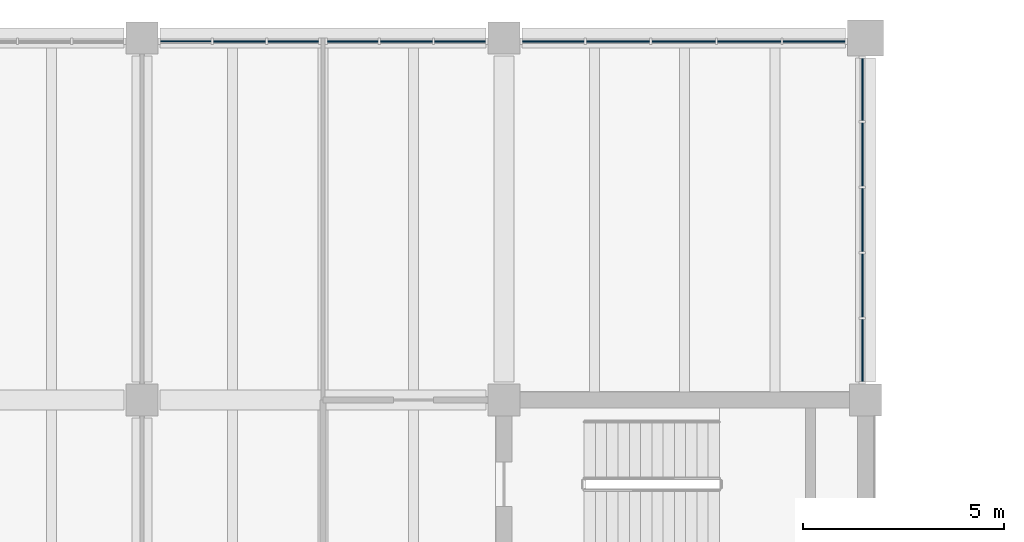
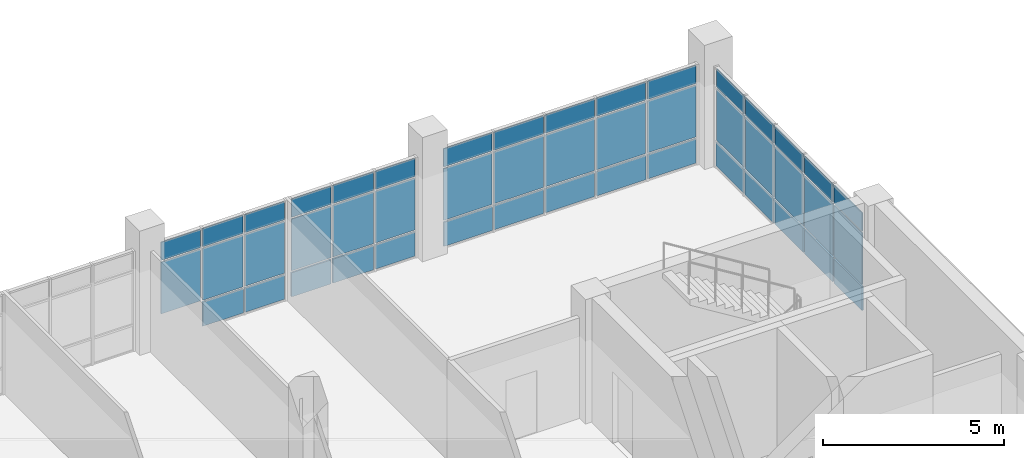
# One storey, part 28 of 50: 47 plates, 4 elements without a shape of their own.
"""IFC4 building model written with IfcOpenShell, lengths in metres."""

from ifc_helpers import new_model, si_unit, direction, frame, origin, origin_2d, place, context, subcontext, project, spatial, rectangle, extrude, material, layer, layer_set, type_object, element, aggregate, save


model = new_model("IFC4")

# Units and contexts
model_context = context("Model", 3, precision=1e-05, world=origin(), true_north=direction((0.0, 1.0)))
body_context = subcontext(model_context, "Body", "Model", "MODEL_VIEW")
ifc_project = project(units=[si_unit("LENGTHUNIT", "METRE"), si_unit("AREAUNIT", "SQUARE_METRE"), si_unit("VOLUMEUNIT", "CUBIC_METRE"), si_unit("PLANEANGLEUNIT", "RADIAN"), si_unit("MASSUNIT", "GRAM", prefix="KILO")], contexts=[model_context])

# Site, building, storey
site_placement = place(None, origin())
site = spatial("IfcSite", under=ifc_project, at=site_placement, CompositionType="ELEMENT")
building_placement = place(site_placement, origin())
building = spatial("IfcBuilding", under=site, at=building_placement, Name="Merrow Basin Faculty of Sciences", CompositionType="ELEMENT")
storey_placement = place(building_placement, frame((0.0, 0.0, 18.0)))
storey = spatial("IfcBuildingStorey", under=building, at=storey_placement, Name="L04", CompositionType="ELEMENT", Elevation=18.0)

# Curtain wall, plates
ifc_material_1 = material(Name="Aluminium alloy 6063", Category="aluminium")
curtain_wall_type = type_object("IfcCurtainWallType", Name="Unitised curtain wall 160", PredefinedType="NOTDEFINED", material=ifc_material_1)
curtain_wall_1_placement = place(storey_placement, origin())
curtain_wall_1 = element("IfcCurtainWall", 1, at=curtain_wall_1_placement, inside=storey, type_object=curtain_wall_type, Name="N curtain wall L04 5", PredefinedType="NOTDEFINED")
ifc_material_2 = material(Name="Insulated aluminium spandrel panel", Category="aluminium")
ifc_layer_1 = layer(ifc_material_2, 0.052001953125)
ifc_layer_set_1 = layer_set([ifc_layer_1], Name="Insulated spandrel panel 52")
plate_type_1 = type_object("IfcPlateType", Name="Insulated spandrel panel 52", PredefinedType="CURTAIN_PANEL", material=ifc_layer_set_1)
plate_1_placement = place(storey_placement, frame((38.425048828125, 168.919921875, 0.06005859375), z_axis=(0.0, 0.0, 1.0), x_axis=(1.0, 0.0, 0.0)))
plate_1 = element("IfcPlate", 2, at=plate_1_placement, type_object=plate_type_1, Name="CW3 panel 2.1", PredefinedType="CURTAIN_PANEL", context=body_context, shape_type="SweptSolid", body=[
    extrude(rectangle(XDim=1.2900390625, YDim=0.052001953125, at=origin_2d()), origin(), (0.0, 0.0, 1.0), 0.81005859375),
])
plate_2_placement = place(storey_placement, frame((39.760009765625, 168.919921875, 0.06005859375), z_axis=(0.0, 0.0, 1.0), x_axis=(1.0, 0.0, 0.0)))
plate_2 = element("IfcPlate", 3, at=plate_2_placement, type_object=plate_type_1, Name="CW3 panel 3.1", PredefinedType="CURTAIN_PANEL", context=body_context, shape_type="SweptSolid", body=[
    extrude(rectangle(XDim=1.260009765625, YDim=0.052001953125, at=origin_2d()), origin(), (0.0, 0.0, 1.0), 0.81005859375),
])

curtain_wall_2_placement = place(storey_placement, origin())
curtain_wall_2 = element("IfcCurtainWall", 4, at=curtain_wall_2_placement, inside=storey, type_object=curtain_wall_type, Name="N curtain wall L04 6", PredefinedType="NOTDEFINED")
plate_3_placement = place(storey_placement, frame((41.239990234375, 168.919921875, 0.06005859375), z_axis=(0.0, 0.0, 1.0), x_axis=(1.0, 0.0, 0.0)))
plate_3 = element("IfcPlate", 5, at=plate_3_placement, type_object=plate_type_1, Name="CW3 panel 1.1", PredefinedType="CURTAIN_PANEL", context=body_context, shape_type="SweptSolid", body=[
    extrude(rectangle(XDim=1.260009765625, YDim=0.052001953125, at=origin_2d()), origin(), (0.0, 0.0, 1.0), 0.81005859375),
])
plate_4_placement = place(storey_placement, frame((42.574951171875, 168.919921875, 0.06005859375), z_axis=(0.0, 0.0, 1.0), x_axis=(1.0, 0.0, 0.0)))
plate_4 = element("IfcPlate", 6, at=plate_4_placement, type_object=plate_type_1, Name="CW3 panel 2.1", PredefinedType="CURTAIN_PANEL", context=body_context, shape_type="SweptSolid", body=[
    extrude(rectangle(XDim=1.2900390625, YDim=0.052001953125, at=origin_2d()), origin(), (0.0, 0.0, 1.0), 0.81005859375),
])
plate_5_placement = place(storey_placement, frame((43.909912109375, 168.919921875, 0.06005859375), z_axis=(0.0, 0.0, 1.0), x_axis=(1.0, 0.0, 0.0)))
plate_5 = element("IfcPlate", 7, at=plate_5_placement, type_object=plate_type_1, Name="CW3 panel 3.1", PredefinedType="CURTAIN_PANEL", context=body_context, shape_type="SweptSolid", body=[
    extrude(rectangle(XDim=1.260009765625, YDim=0.052001953125, at=origin_2d()), origin(), (0.0, 0.0, 1.0), 0.81005859375),
])

curtain_wall_3_placement = place(storey_placement, origin())
curtain_wall_3 = element("IfcCurtainWall", 8, at=curtain_wall_3_placement, inside=storey, type_object=curtain_wall_type, Name="N curtain wall L04 7", PredefinedType="NOTDEFINED")
plate_6_placement = place(storey_placement, frame((46.22998046875, 168.919921875, 0.06005859375), z_axis=(0.0, 0.0, 1.0), x_axis=(1.0, 0.0, 0.0)))
plate_6 = element("IfcPlate", 9, at=plate_6_placement, type_object=plate_type_1, Name="CW3 panel 1.1", PredefinedType="CURTAIN_PANEL", context=body_context, shape_type="SweptSolid", body=[
    extrude(rectangle(XDim=1.5400390625, YDim=0.052001953125, at=origin_2d()), origin(), (0.0, 0.0, 1.0), 0.81005859375),
])
plate_7_placement = place(storey_placement, frame((47.844970703125, 168.919921875, 0.06005859375), z_axis=(0.0, 0.0, 1.0), x_axis=(1.0, 0.0, 0.0)))
plate_7 = element("IfcPlate", 10, at=plate_7_placement, type_object=plate_type_1, Name="CW3 panel 2.1", PredefinedType="CURTAIN_PANEL", context=body_context, shape_type="SweptSolid", body=[
    extrude(rectangle(XDim=1.570068359375, YDim=0.052001953125, at=origin_2d()), origin(), (0.0, 0.0, 1.0), 0.81005859375),
])
plate_8_placement = place(storey_placement, frame((49.47509765625, 168.919921875, 0.06005859375), z_axis=(0.0, 0.0, 1.0), x_axis=(1.0, 0.0, 0.0)))
plate_8 = element("IfcPlate", 11, at=plate_8_placement, type_object=plate_type_1, Name="CW3 panel 3.1", PredefinedType="CURTAIN_PANEL", context=body_context, shape_type="SweptSolid", body=[
    extrude(rectangle(XDim=1.570068359375, YDim=0.052001953125, at=origin_2d()), origin(), (0.0, 0.0, 1.0), 0.81005859375),
])
plate_9_placement = place(storey_placement, frame((51.10498046875, 168.919921875, 0.06005859375), z_axis=(0.0, 0.0, 1.0), x_axis=(1.0, 0.0, 0.0)))
plate_9 = element("IfcPlate", 12, at=plate_9_placement, type_object=plate_type_1, Name="CW3 panel 4.1", PredefinedType="CURTAIN_PANEL", context=body_context, shape_type="SweptSolid", body=[
    extrude(rectangle(XDim=1.570068359375, YDim=0.052001953125, at=origin_2d()), origin(), (0.0, 0.0, 1.0), 0.81005859375),
])
plate_10_placement = place(storey_placement, frame((52.719970703125, 168.919921875, 0.06005859375), z_axis=(0.0, 0.0, 1.0), x_axis=(1.0, 0.0, 0.0)))
plate_10 = element("IfcPlate", 13, at=plate_10_placement, type_object=plate_type_1, Name="CW3 panel 5.1", PredefinedType="CURTAIN_PANEL", context=body_context, shape_type="SweptSolid", body=[
    extrude(rectangle(XDim=1.5400390625, YDim=0.052001953125, at=origin_2d()), origin(), (0.0, 0.0, 1.0), 0.81005859375),
])

curtain_wall_4_placement = place(storey_placement, origin())
curtain_wall_4 = element("IfcCurtainWall", 14, at=curtain_wall_4_placement, inside=storey, type_object=curtain_wall_type, Name="E curtain wall L04 1", PredefinedType="NOTDEFINED")
plate_11_placement = place(storey_placement, frame((53.919921875, 161.22998046875, 0.06005859375), z_axis=(0.0, 0.0, 1.0), x_axis=(0.0, 1.0, 0.0)))
plate_11 = element("IfcPlate", 15, at=plate_11_placement, type_object=plate_type_1, Name="CW3 panel 1.1", PredefinedType="CURTAIN_PANEL", context=body_context, shape_type="SweptSolid", body=[
    extrude(rectangle(XDim=1.5400390625, YDim=0.052001953125, at=origin_2d()), origin(), (0.0, 0.0, 1.0), 0.81005859375),
])
plate_12_placement = place(storey_placement, frame((53.919921875, 162.844970703125, 0.06005859375), z_axis=(0.0, 0.0, 1.0), x_axis=(0.0, 1.0, 0.0)))
plate_12 = element("IfcPlate", 16, at=plate_12_placement, type_object=plate_type_1, Name="CW3 panel 2.1", PredefinedType="CURTAIN_PANEL", context=body_context, shape_type="SweptSolid", body=[
    extrude(rectangle(XDim=1.570068359375, YDim=0.052001953125, at=origin_2d()), origin(), (0.0, 0.0, 1.0), 0.81005859375),
])
plate_13_placement = place(storey_placement, frame((53.919921875, 164.47509765625, 0.06005859375), z_axis=(0.0, 0.0, 1.0), x_axis=(0.0, 1.0, 0.0)))
plate_13 = element("IfcPlate", 17, at=plate_13_placement, type_object=plate_type_1, Name="CW3 panel 3.1", PredefinedType="CURTAIN_PANEL", context=body_context, shape_type="SweptSolid", body=[
    extrude(rectangle(XDim=1.570068359375, YDim=0.052001953125, at=origin_2d()), origin(), (0.0, 0.0, 1.0), 0.81005859375),
])
plate_14_placement = place(storey_placement, frame((53.919921875, 166.10498046875, 0.06005859375), z_axis=(0.0, 0.0, 1.0), x_axis=(0.0, 1.0, 0.0)))
plate_14 = element("IfcPlate", 18, at=plate_14_placement, type_object=plate_type_1, Name="CW3 panel 4.1", PredefinedType="CURTAIN_PANEL", context=body_context, shape_type="SweptSolid", body=[
    extrude(rectangle(XDim=1.570068359375, YDim=0.052001953125, at=origin_2d()), origin(), (0.0, 0.0, 1.0), 0.81005859375),
])
plate_15_placement = place(storey_placement, frame((53.919921875, 167.719970703125, 0.06005859375), z_axis=(0.0, 0.0, 1.0), x_axis=(0.0, 1.0, 0.0)))
plate_15 = element("IfcPlate", 19, at=plate_15_placement, type_object=plate_type_1, Name="CW3 panel 5.1", PredefinedType="CURTAIN_PANEL", context=body_context, shape_type="SweptSolid", body=[
    extrude(rectangle(XDim=1.5400390625, YDim=0.052001953125, at=origin_2d()), origin(), (0.0, 0.0, 1.0), 0.81005859375),
])

# Plate
ifc_material_3 = material(Name="Low-E double glazing", Category="glass")
ifc_layer_2 = layer(ifc_material_3, 0.028076171875)
ifc_layer_set_2 = layer_set([ifc_layer_2], Name="Low-E double glazed panel 28")
plate_type_2 = type_object("IfcPlateType", Name="Low-E double glazed panel 28", PredefinedType="CURTAIN_PANEL", material=ifc_layer_set_2)
plate_16_placement = place(storey_placement, frame((37.090087890625, 168.919921875, 0.93017578125), z_axis=(0.0, 0.0, 1.0), x_axis=(1.0, 0.0, 0.0)))
plate_16 = element("IfcPlate", 20, at=plate_16_placement, type_object=plate_type_2, Name="CW3 panel 1.2", PredefinedType="CURTAIN_PANEL", context=body_context, shape_type="SweptSolid", body=[
    extrude(rectangle(XDim=1.260009765625, YDim=0.028076171875, at=origin_2d()), origin(), (0.0, 0.0, 1.0), 1.739990234375),
])

plate_17_placement = place(storey_placement, frame((37.090087890625, 168.919921875, 2.72998046875), z_axis=(0.0, 0.0, 1.0), x_axis=(1.0, 0.0, 0.0)))
plate_17 = element("IfcPlate", 21, at=plate_17_placement, type_object=plate_type_2, Name="CW3 panel 1.3", PredefinedType="CURTAIN_PANEL", context=body_context, shape_type="SweptSolid", body=[
    extrude(rectangle(XDim=1.260009765625, YDim=0.028076171875, at=origin_2d()), origin(), (0.0, 0.0, 1.0), 0.610107421875),
])

plate_18_placement = place(storey_placement, frame((38.425048828125, 168.919921875, 0.93017578125), z_axis=(0.0, 0.0, 1.0), x_axis=(1.0, 0.0, 0.0)))
plate_18 = element("IfcPlate", 22, at=plate_18_placement, type_object=plate_type_2, Name="CW3 panel 2.2", PredefinedType="CURTAIN_PANEL", context=body_context, shape_type="SweptSolid", body=[
    extrude(rectangle(XDim=1.2900390625, YDim=0.028076171875, at=origin_2d()), origin(), (0.0, 0.0, 1.0), 1.739990234375),
])

plate_19_placement = place(storey_placement, frame((38.425048828125, 168.919921875, 2.72998046875), z_axis=(0.0, 0.0, 1.0), x_axis=(1.0, 0.0, 0.0)))
plate_19 = element("IfcPlate", 23, at=plate_19_placement, type_object=plate_type_2, Name="CW3 panel 2.3", PredefinedType="CURTAIN_PANEL", context=body_context, shape_type="SweptSolid", body=[
    extrude(rectangle(XDim=1.2900390625, YDim=0.028076171875, at=origin_2d()), origin(), (0.0, 0.0, 1.0), 0.610107421875),
])

plate_20_placement = place(storey_placement, frame((39.760009765625, 168.919921875, 0.93017578125), z_axis=(0.0, 0.0, 1.0), x_axis=(1.0, 0.0, 0.0)))
plate_20 = element("IfcPlate", 24, at=plate_20_placement, type_object=plate_type_2, Name="CW3 panel 3.2", PredefinedType="CURTAIN_PANEL", context=body_context, shape_type="SweptSolid", body=[
    extrude(rectangle(XDim=1.260009765625, YDim=0.028076171875, at=origin_2d()), origin(), (0.0, 0.0, 1.0), 1.739990234375),
])

plate_21_placement = place(storey_placement, frame((39.760009765625, 168.919921875, 2.72998046875), z_axis=(0.0, 0.0, 1.0), x_axis=(1.0, 0.0, 0.0)))
plate_21 = element("IfcPlate", 25, at=plate_21_placement, type_object=plate_type_2, Name="CW3 panel 3.3", PredefinedType="CURTAIN_PANEL", context=body_context, shape_type="SweptSolid", body=[
    extrude(rectangle(XDim=1.260009765625, YDim=0.028076171875, at=origin_2d()), origin(), (0.0, 0.0, 1.0), 0.610107421875),
])

aggregate(curtain_wall_1, [plate_16, plate_17, plate_1, plate_18, plate_19, plate_2, plate_20, plate_21])

plate_22_placement = place(storey_placement, frame((41.239990234375, 168.919921875, 0.93017578125), z_axis=(0.0, 0.0, 1.0), x_axis=(1.0, 0.0, 0.0)))
plate_22 = element("IfcPlate", 26, at=plate_22_placement, type_object=plate_type_2, Name="CW3 panel 1.2", PredefinedType="CURTAIN_PANEL", context=body_context, shape_type="SweptSolid", body=[
    extrude(rectangle(XDim=1.260009765625, YDim=0.028076171875, at=origin_2d()), origin(), (0.0, 0.0, 1.0), 1.739990234375),
])

plate_23_placement = place(storey_placement, frame((41.239990234375, 168.919921875, 2.72998046875), z_axis=(0.0, 0.0, 1.0), x_axis=(1.0, 0.0, 0.0)))
plate_23 = element("IfcPlate", 27, at=plate_23_placement, type_object=plate_type_2, Name="CW3 panel 1.3", PredefinedType="CURTAIN_PANEL", context=body_context, shape_type="SweptSolid", body=[
    extrude(rectangle(XDim=1.260009765625, YDim=0.028076171875, at=origin_2d()), origin(), (0.0, 0.0, 1.0), 0.610107421875),
])

plate_24_placement = place(storey_placement, frame((42.574951171875, 168.919921875, 0.93017578125), z_axis=(0.0, 0.0, 1.0), x_axis=(1.0, 0.0, 0.0)))
plate_24 = element("IfcPlate", 28, at=plate_24_placement, type_object=plate_type_2, Name="CW3 panel 2.2", PredefinedType="CURTAIN_PANEL", context=body_context, shape_type="SweptSolid", body=[
    extrude(rectangle(XDim=1.2900390625, YDim=0.028076171875, at=origin_2d()), origin(), (0.0, 0.0, 1.0), 1.739990234375),
])

plate_25_placement = place(storey_placement, frame((42.574951171875, 168.919921875, 2.72998046875), z_axis=(0.0, 0.0, 1.0), x_axis=(1.0, 0.0, 0.0)))
plate_25 = element("IfcPlate", 29, at=plate_25_placement, type_object=plate_type_2, Name="CW3 panel 2.3", PredefinedType="CURTAIN_PANEL", context=body_context, shape_type="SweptSolid", body=[
    extrude(rectangle(XDim=1.2900390625, YDim=0.028076171875, at=origin_2d()), origin(), (0.0, 0.0, 1.0), 0.610107421875),
])

plate_26_placement = place(storey_placement, frame((43.909912109375, 168.919921875, 0.93017578125), z_axis=(0.0, 0.0, 1.0), x_axis=(1.0, 0.0, 0.0)))
plate_26 = element("IfcPlate", 30, at=plate_26_placement, type_object=plate_type_2, Name="CW3 panel 3.2", PredefinedType="CURTAIN_PANEL", context=body_context, shape_type="SweptSolid", body=[
    extrude(rectangle(XDim=1.260009765625, YDim=0.028076171875, at=origin_2d()), origin(), (0.0, 0.0, 1.0), 1.739990234375),
])

plate_27_placement = place(storey_placement, frame((43.909912109375, 168.919921875, 2.72998046875), z_axis=(0.0, 0.0, 1.0), x_axis=(1.0, 0.0, 0.0)))
plate_27 = element("IfcPlate", 31, at=plate_27_placement, type_object=plate_type_2, Name="CW3 panel 3.3", PredefinedType="CURTAIN_PANEL", context=body_context, shape_type="SweptSolid", body=[
    extrude(rectangle(XDim=1.260009765625, YDim=0.028076171875, at=origin_2d()), origin(), (0.0, 0.0, 1.0), 0.610107421875),
])

aggregate(curtain_wall_2, [plate_3, plate_22, plate_23, plate_4, plate_24, plate_25, plate_5, plate_26, plate_27])

plate_28_placement = place(storey_placement, frame((46.22998046875, 168.919921875, 0.93017578125), z_axis=(0.0, 0.0, 1.0), x_axis=(1.0, 0.0, 0.0)))
plate_28 = element("IfcPlate", 32, at=plate_28_placement, type_object=plate_type_2, Name="CW3 panel 1.2", PredefinedType="CURTAIN_PANEL", context=body_context, shape_type="SweptSolid", body=[
    extrude(rectangle(XDim=1.5400390625, YDim=0.028076171875, at=origin_2d()), origin(), (0.0, 0.0, 1.0), 1.739990234375),
])

plate_29_placement = place(storey_placement, frame((46.22998046875, 168.919921875, 2.72998046875), z_axis=(0.0, 0.0, 1.0), x_axis=(1.0, 0.0, 0.0)))
plate_29 = element("IfcPlate", 33, at=plate_29_placement, type_object=plate_type_2, Name="CW3 panel 1.3", PredefinedType="CURTAIN_PANEL", context=body_context, shape_type="SweptSolid", body=[
    extrude(rectangle(XDim=1.5400390625, YDim=0.028076171875, at=origin_2d()), origin(), (0.0, 0.0, 1.0), 0.610107421875),
])

plate_30_placement = place(storey_placement, frame((47.844970703125, 168.919921875, 0.93017578125), z_axis=(0.0, 0.0, 1.0), x_axis=(1.0, 0.0, 0.0)))
plate_30 = element("IfcPlate", 34, at=plate_30_placement, type_object=plate_type_2, Name="CW3 panel 2.2", PredefinedType="CURTAIN_PANEL", context=body_context, shape_type="SweptSolid", body=[
    extrude(rectangle(XDim=1.570068359375, YDim=0.028076171875, at=origin_2d()), origin(), (0.0, 0.0, 1.0), 1.739990234375),
])

plate_31_placement = place(storey_placement, frame((47.844970703125, 168.919921875, 2.72998046875), z_axis=(0.0, 0.0, 1.0), x_axis=(1.0, 0.0, 0.0)))
plate_31 = element("IfcPlate", 35, at=plate_31_placement, type_object=plate_type_2, Name="CW3 panel 2.3", PredefinedType="CURTAIN_PANEL", context=body_context, shape_type="SweptSolid", body=[
    extrude(rectangle(XDim=1.570068359375, YDim=0.028076171875, at=origin_2d()), origin(), (0.0, 0.0, 1.0), 0.610107421875),
])

plate_32_placement = place(storey_placement, frame((49.47509765625, 168.919921875, 0.93017578125), z_axis=(0.0, 0.0, 1.0), x_axis=(1.0, 0.0, 0.0)))
plate_32 = element("IfcPlate", 36, at=plate_32_placement, type_object=plate_type_2, Name="CW3 panel 3.2", PredefinedType="CURTAIN_PANEL", context=body_context, shape_type="SweptSolid", body=[
    extrude(rectangle(XDim=1.570068359375, YDim=0.028076171875, at=origin_2d()), origin(), (0.0, 0.0, 1.0), 1.739990234375),
])

plate_33_placement = place(storey_placement, frame((49.47509765625, 168.919921875, 2.72998046875), z_axis=(0.0, 0.0, 1.0), x_axis=(1.0, 0.0, 0.0)))
plate_33 = element("IfcPlate", 37, at=plate_33_placement, type_object=plate_type_2, Name="CW3 panel 3.3", PredefinedType="CURTAIN_PANEL", context=body_context, shape_type="SweptSolid", body=[
    extrude(rectangle(XDim=1.570068359375, YDim=0.028076171875, at=origin_2d()), origin(), (0.0, 0.0, 1.0), 0.610107421875),
])

plate_34_placement = place(storey_placement, frame((51.10498046875, 168.919921875, 0.93017578125), z_axis=(0.0, 0.0, 1.0), x_axis=(1.0, 0.0, 0.0)))
plate_34 = element("IfcPlate", 38, at=plate_34_placement, type_object=plate_type_2, Name="CW3 panel 4.2", PredefinedType="CURTAIN_PANEL", context=body_context, shape_type="SweptSolid", body=[
    extrude(rectangle(XDim=1.570068359375, YDim=0.028076171875, at=origin_2d()), origin(), (0.0, 0.0, 1.0), 1.739990234375),
])

plate_35_placement = place(storey_placement, frame((51.10498046875, 168.919921875, 2.72998046875), z_axis=(0.0, 0.0, 1.0), x_axis=(1.0, 0.0, 0.0)))
plate_35 = element("IfcPlate", 39, at=plate_35_placement, type_object=plate_type_2, Name="CW3 panel 4.3", PredefinedType="CURTAIN_PANEL", context=body_context, shape_type="SweptSolid", body=[
    extrude(rectangle(XDim=1.570068359375, YDim=0.028076171875, at=origin_2d()), origin(), (0.0, 0.0, 1.0), 0.610107421875),
])

plate_36_placement = place(storey_placement, frame((52.719970703125, 168.919921875, 0.93017578125), z_axis=(0.0, 0.0, 1.0), x_axis=(1.0, 0.0, 0.0)))
plate_36 = element("IfcPlate", 40, at=plate_36_placement, type_object=plate_type_2, Name="CW3 panel 5.2", PredefinedType="CURTAIN_PANEL", context=body_context, shape_type="SweptSolid", body=[
    extrude(rectangle(XDim=1.5400390625, YDim=0.028076171875, at=origin_2d()), origin(), (0.0, 0.0, 1.0), 1.739990234375),
])

plate_37_placement = place(storey_placement, frame((52.719970703125, 168.919921875, 2.72998046875), z_axis=(0.0, 0.0, 1.0), x_axis=(1.0, 0.0, 0.0)))
plate_37 = element("IfcPlate", 41, at=plate_37_placement, type_object=plate_type_2, Name="CW3 panel 5.3", PredefinedType="CURTAIN_PANEL", context=body_context, shape_type="SweptSolid", body=[
    extrude(rectangle(XDim=1.5400390625, YDim=0.028076171875, at=origin_2d()), origin(), (0.0, 0.0, 1.0), 0.610107421875),
])

aggregate(curtain_wall_3, [plate_6, plate_28, plate_29, plate_7, plate_30, plate_31, plate_8, plate_32, plate_33, plate_9, plate_34, plate_35, plate_10, plate_36, plate_37])

plate_38_placement = place(storey_placement, frame((53.919921875, 161.22998046875, 0.93017578125), z_axis=(0.0, 0.0, 1.0), x_axis=(0.0, 1.0, 0.0)))
plate_38 = element("IfcPlate", 42, at=plate_38_placement, type_object=plate_type_2, Name="CW3 panel 1.2", PredefinedType="CURTAIN_PANEL", context=body_context, shape_type="SweptSolid", body=[
    extrude(rectangle(XDim=1.5400390625, YDim=0.028076171875, at=origin_2d()), origin(), (0.0, 0.0, 1.0), 1.739990234375),
])

plate_39_placement = place(storey_placement, frame((53.919921875, 161.22998046875, 2.72998046875), z_axis=(0.0, 0.0, 1.0), x_axis=(0.0, 1.0, 0.0)))
plate_39 = element("IfcPlate", 43, at=plate_39_placement, type_object=plate_type_2, Name="CW3 panel 1.3", PredefinedType="CURTAIN_PANEL", context=body_context, shape_type="SweptSolid", body=[
    extrude(rectangle(XDim=1.5400390625, YDim=0.028076171875, at=origin_2d()), origin(), (0.0, 0.0, 1.0), 0.610107421875),
])

plate_40_placement = place(storey_placement, frame((53.919921875, 162.844970703125, 0.93017578125), z_axis=(0.0, 0.0, 1.0), x_axis=(0.0, 1.0, 0.0)))
plate_40 = element("IfcPlate", 44, at=plate_40_placement, type_object=plate_type_2, Name="CW3 panel 2.2", PredefinedType="CURTAIN_PANEL", context=body_context, shape_type="SweptSolid", body=[
    extrude(rectangle(XDim=1.570068359375, YDim=0.028076171875, at=origin_2d()), origin(), (0.0, 0.0, 1.0), 1.739990234375),
])

plate_41_placement = place(storey_placement, frame((53.919921875, 162.844970703125, 2.72998046875), z_axis=(0.0, 0.0, 1.0), x_axis=(0.0, 1.0, 0.0)))
plate_41 = element("IfcPlate", 45, at=plate_41_placement, type_object=plate_type_2, Name="CW3 panel 2.3", PredefinedType="CURTAIN_PANEL", context=body_context, shape_type="SweptSolid", body=[
    extrude(rectangle(XDim=1.570068359375, YDim=0.028076171875, at=origin_2d()), origin(), (0.0, 0.0, 1.0), 0.610107421875),
])

plate_42_placement = place(storey_placement, frame((53.919921875, 164.47509765625, 0.93017578125), z_axis=(0.0, 0.0, 1.0), x_axis=(0.0, 1.0, 0.0)))
plate_42 = element("IfcPlate", 46, at=plate_42_placement, type_object=plate_type_2, Name="CW3 panel 3.2", PredefinedType="CURTAIN_PANEL", context=body_context, shape_type="SweptSolid", body=[
    extrude(rectangle(XDim=1.570068359375, YDim=0.028076171875, at=origin_2d()), origin(), (0.0, 0.0, 1.0), 1.739990234375),
])

plate_43_placement = place(storey_placement, frame((53.919921875, 164.47509765625, 2.72998046875), z_axis=(0.0, 0.0, 1.0), x_axis=(0.0, 1.0, 0.0)))
plate_43 = element("IfcPlate", 47, at=plate_43_placement, type_object=plate_type_2, Name="CW3 panel 3.3", PredefinedType="CURTAIN_PANEL", context=body_context, shape_type="SweptSolid", body=[
    extrude(rectangle(XDim=1.570068359375, YDim=0.028076171875, at=origin_2d()), origin(), (0.0, 0.0, 1.0), 0.610107421875),
])

plate_44_placement = place(storey_placement, frame((53.919921875, 166.10498046875, 0.93017578125), z_axis=(0.0, 0.0, 1.0), x_axis=(0.0, 1.0, 0.0)))
plate_44 = element("IfcPlate", 48, at=plate_44_placement, type_object=plate_type_2, Name="CW3 panel 4.2", PredefinedType="CURTAIN_PANEL", context=body_context, shape_type="SweptSolid", body=[
    extrude(rectangle(XDim=1.570068359375, YDim=0.028076171875, at=origin_2d()), origin(), (0.0, 0.0, 1.0), 1.739990234375),
])

plate_45_placement = place(storey_placement, frame((53.919921875, 166.10498046875, 2.72998046875), z_axis=(0.0, 0.0, 1.0), x_axis=(0.0, 1.0, 0.0)))
plate_45 = element("IfcPlate", 49, at=plate_45_placement, type_object=plate_type_2, Name="CW3 panel 4.3", PredefinedType="CURTAIN_PANEL", context=body_context, shape_type="SweptSolid", body=[
    extrude(rectangle(XDim=1.570068359375, YDim=0.028076171875, at=origin_2d()), origin(), (0.0, 0.0, 1.0), 0.610107421875),
])

plate_46_placement = place(storey_placement, frame((53.919921875, 167.719970703125, 0.93017578125), z_axis=(0.0, 0.0, 1.0), x_axis=(0.0, 1.0, 0.0)))
plate_46 = element("IfcPlate", 50, at=plate_46_placement, type_object=plate_type_2, Name="CW3 panel 5.2", PredefinedType="CURTAIN_PANEL", context=body_context, shape_type="SweptSolid", body=[
    extrude(rectangle(XDim=1.5400390625, YDim=0.028076171875, at=origin_2d()), origin(), (0.0, 0.0, 1.0), 1.739990234375),
])

plate_47_placement = place(storey_placement, frame((53.919921875, 167.719970703125, 2.72998046875), z_axis=(0.0, 0.0, 1.0), x_axis=(0.0, 1.0, 0.0)))
plate_47 = element("IfcPlate", 51, at=plate_47_placement, type_object=plate_type_2, Name="CW3 panel 5.3", PredefinedType="CURTAIN_PANEL", context=body_context, shape_type="SweptSolid", body=[
    extrude(rectangle(XDim=1.5400390625, YDim=0.028076171875, at=origin_2d()), origin(), (0.0, 0.0, 1.0), 0.610107421875),
])

aggregate(curtain_wall_4, [plate_11, plate_38, plate_39, plate_12, plate_40, plate_41, plate_13, plate_42, plate_43, plate_14, plate_44, plate_45, plate_15, plate_46, plate_47])

save(model, "model.ifc")
